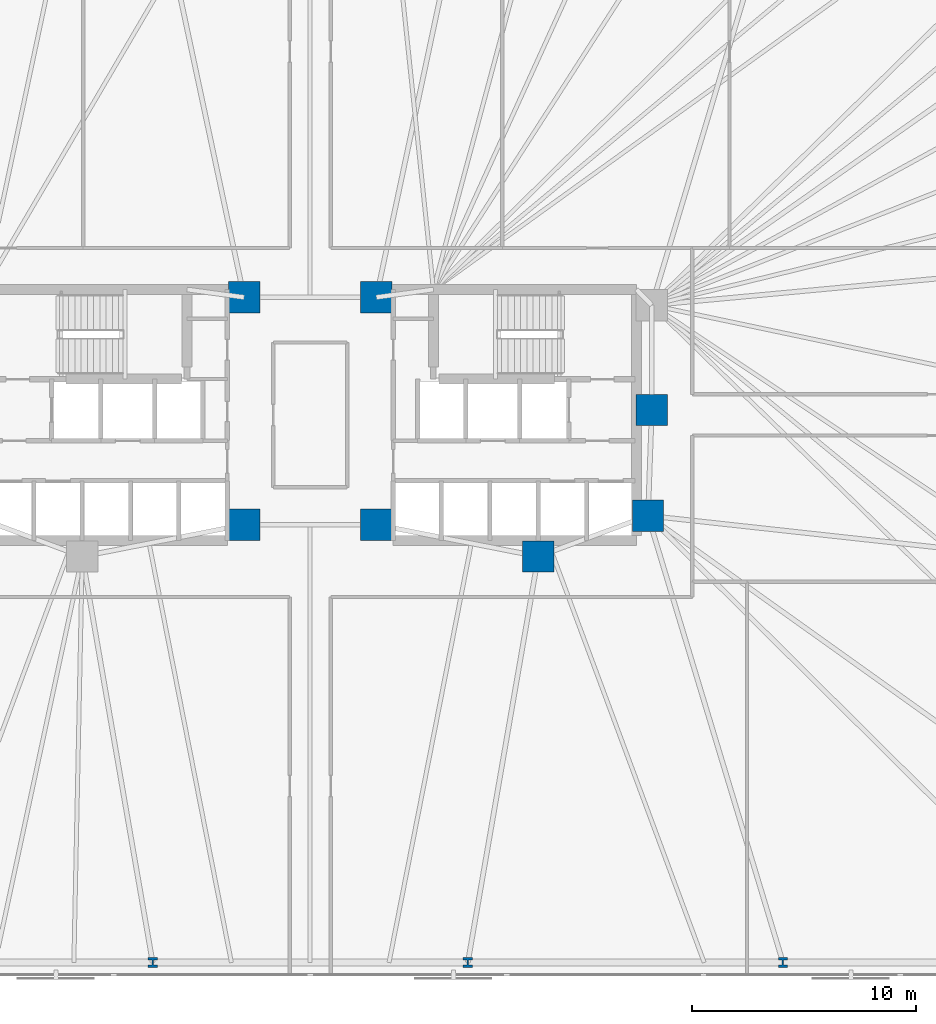
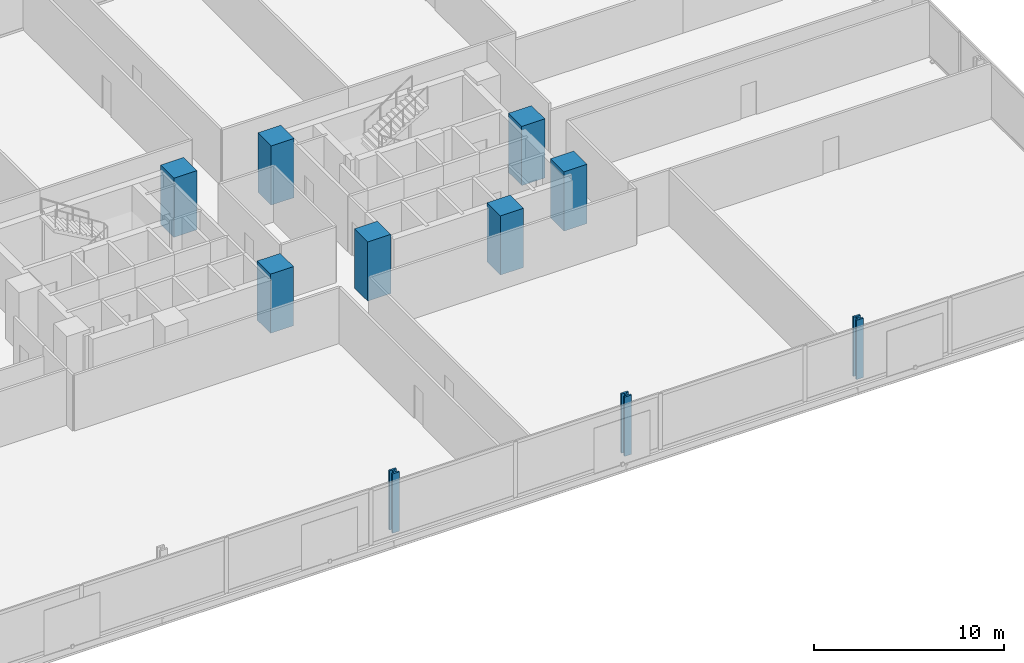
# One storey, part 3 of 16: 10 columns.
"""IFC4 building model written with IfcOpenShell, lengths in metres."""

from ifc_helpers import new_model, si_unit, direction, frame, origin, origin_2d, place, context, subcontext, project, spatial, rectangle, i_section, extrude, material, material_profile, profile_set, type_object, element, save


model = new_model("IFC4")

# Units and contexts
model_context = context("Model", 3, precision=1e-05, world=origin(), true_north=direction((0.0, 1.0)))
body_context = subcontext(model_context, "Body", "Model", "MODEL_VIEW")
ifc_project = project(units=[si_unit("LENGTHUNIT", "METRE"), si_unit("AREAUNIT", "SQUARE_METRE"), si_unit("VOLUMEUNIT", "CUBIC_METRE"), si_unit("PLANEANGLEUNIT", "RADIAN"), si_unit("MASSUNIT", "GRAM", prefix="KILO")], contexts=[model_context])

# Site, building, storey
site_placement = place(None, origin())
site = spatial("IfcSite", under=ifc_project, at=site_placement, CompositionType="ELEMENT")
building_placement = place(site_placement, origin())
building = spatial("IfcBuilding", under=site, at=building_placement, Name="Menara Jurai Vektor", CompositionType="ELEMENT")
storey_placement = place(building_placement, frame((0.0, 0.0, 59.800048828125)))
storey = spatial("IfcBuildingStorey", under=building, at=storey_placement, Name="L14", CompositionType="ELEMENT", Elevation=59.800048828125)

# Columns
ifc_material_1 = material(Name="Concrete C60/75", Category="concrete")
ifc_material_profile_1 = material_profile(ifc_material_1, rectangle(XDim=1.39990234375, YDim=1.39990234375, at=origin_2d()), Name="RC 1400x1400")
ifc_profile_set_1 = profile_set([ifc_material_profile_1], Name="Concrete C60/75")
column_type_1 = type_object("IfcColumnType", Name="STR-COL-RC1400", PredefinedType="COLUMN", material=ifc_profile_set_1)
for number, where, z_axis, x_axis, name in (
    (1, (-2.949951171875, -4.89990234375, 0.0), (0.0, 0.0, 1.0), (1.0, 0.0, 0.0), "Core Spine Column CW-SE L14"),
    (2, (-2.949951171875, 5.25, 0.0), (0.0, 0.0, 1.0), (1.0, 0.0, 0.0), "Core Spine Column CW-NE L14"),
    (3, (15.25, 0.219970703125, 0.0), (0.0, 0.0, 1.0), (1.0, 0.0, 0.0), "Core Spine Column CE-EM L14"),
    (4, (15.080078125, -4.5, 0.0), (0.0, 0.0, 1.0), (1.0, 0.0, 0.0), "Core Spine Column CE-SE L14"),
    (5, (10.179931640625, -6.320068359375, 0.0), (0.0, 0.0, 1.0), (1.0, 0.0, 0.0), "Core Spine Column CE-SM L14"),
    (6, (2.949951171875, -4.89990234375, 0.0), (0.0, 0.0, 1.0), (1.0, 0.0, 0.0), "Core Spine Column CE-SW L14"),
    (7, (2.949951171875, 5.25, 0.0), (0.0, 0.0, 1.0), (1.0, 0.0, 0.0), "Core Spine Column CE-NW L14"),
):
    element("IfcColumn", number, at=place(storey_placement, frame(where, z_axis=z_axis, x_axis=x_axis)), inside=storey, type_object=column_type_1, Name=name, PredefinedType="COLUMN", context=body_context, shape_type="SweptSolid", body=[
        extrude(rectangle(XDim=1.39990234375, YDim=1.39990234375, at=origin_2d()), origin(), (0.0, 0.0, 1.0), 3.800048828125),
    ])
ifc_material_2 = material(Name="Steel S460", Category="steel")
ifc_material_profile_2 = material_profile(ifc_material_2, i_section(OverallWidth=0.419921875, OverallDepth=0.430908203125, WebThickness=0.06494140625, FlangeThickness=0.10595703125, FilletRadius=0.014892578125, at=origin_2d()), Name="HD 400x900")
ifc_profile_set_2 = profile_set([ifc_material_profile_2], Name="Steel S460")
column_type_2 = type_object("IfcColumnType", Name="STR-EXO-BLK1", PredefinedType="COLUMN", material=ifc_profile_set_2)
for number, where, z_axis, x_axis, name in (
    (8, (-7.03564453125, -24.449951171875, 0.0), (0.0, 0.0, 1.0), (1.0, 0.0, 0.0), "Exoskeleton Column BLK1-S3 L14"),
    (9, (7.03564453125, -24.449951171875, 0.0), (0.0, 0.0, 1.0), (1.0, 0.0, 0.0), "Exoskeleton Column BLK1-S4 L14"),
    (10, (21.106689453125, -24.449951171875, 0.0), (0.0, 0.0, 1.0), (1.0, 0.0, 0.0), "Exoskeleton Column BLK1-S5 L14"),
):
    element("IfcColumn", number, at=place(storey_placement, frame(where, z_axis=z_axis, x_axis=x_axis)), inside=storey, type_object=column_type_2, Name=name, PredefinedType="COLUMN", context=body_context, shape_type="SweptSolid", body=[
        extrude(i_section(OverallWidth=0.419921875, OverallDepth=0.430908203125, WebThickness=0.06494140625, FlangeThickness=0.10595703125, FilletRadius=0.014892578125, at=origin_2d()), origin(), (0.0, 0.0, 1.0), 3.800048828125),
    ])

save(model, "model.ifc")
